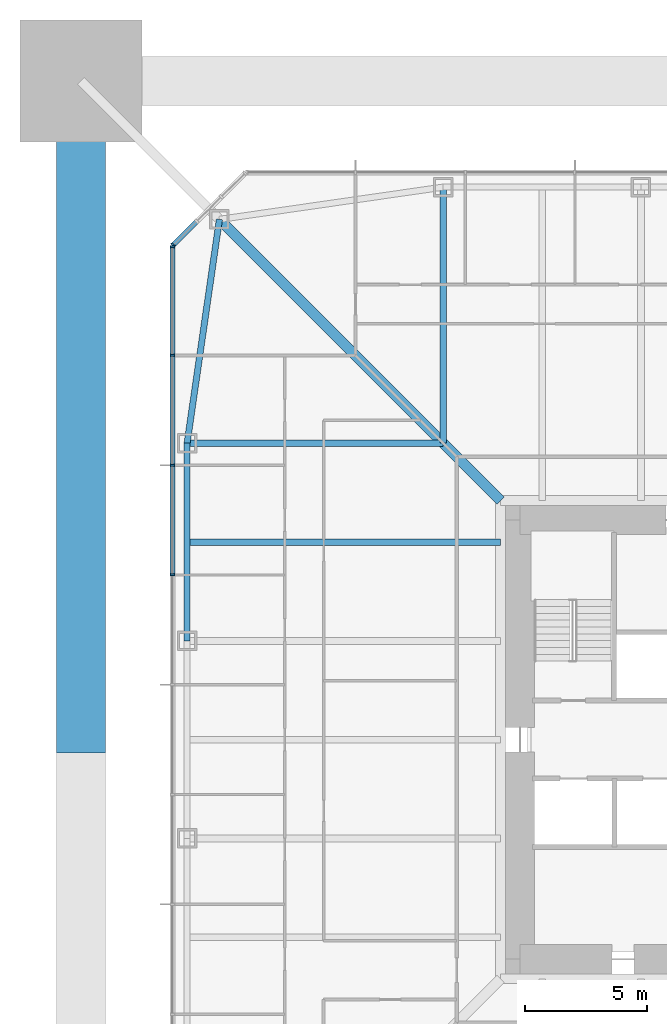
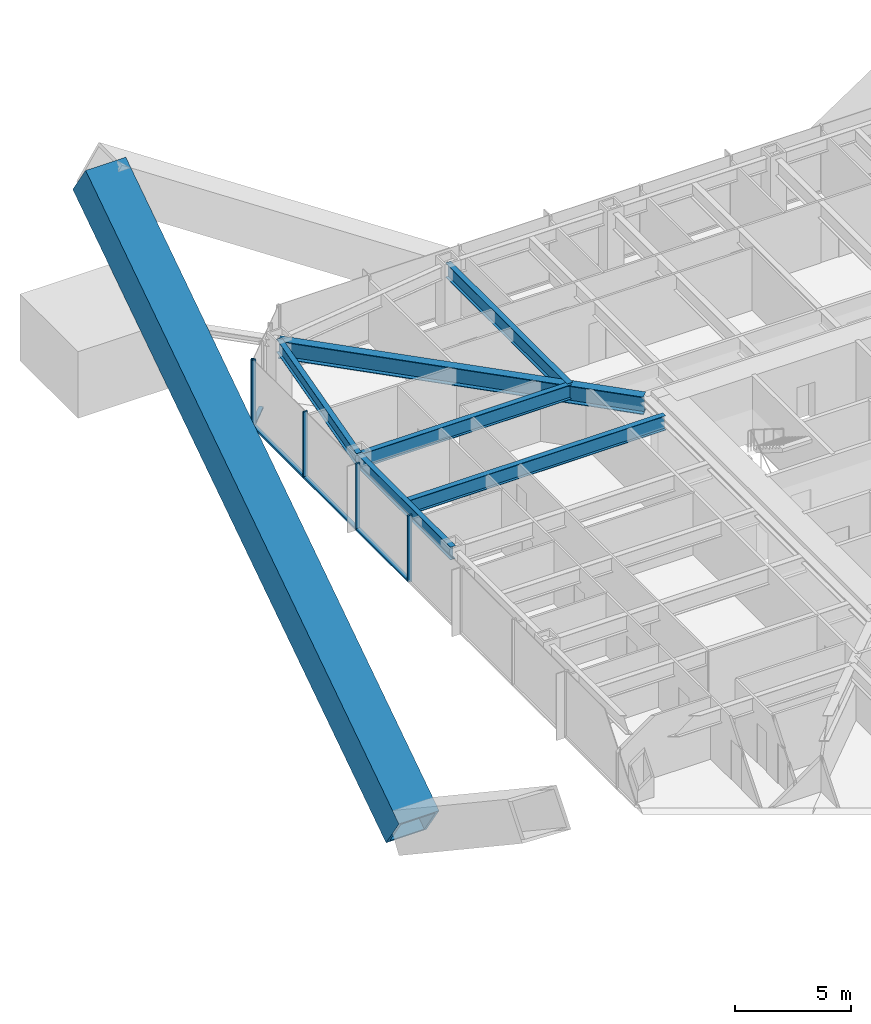
# One storey, part 6 of 27: 10 members, 6 beams, 2 elements without a shape of their own.
"""IFC4 building model written with IfcOpenShell, lengths in metres."""

from ifc_helpers import new_model, si_unit, direction, frame, origin, origin_2d, place, context, subcontext, project, spatial, rectangle, hollow_rectangle, i_section, extrude, material, material_profile, profile_set, type_object, element, aggregate, save


model = new_model("IFC4")

# Units and contexts
model_context = context("Model", 3, precision=1e-05, world=origin(), true_north=direction((0.0, 1.0)))
body_context = subcontext(model_context, "Body", "Model", "MODEL_VIEW")
ifc_project = project(units=[si_unit("LENGTHUNIT", "METRE"), si_unit("AREAUNIT", "SQUARE_METRE"), si_unit("VOLUMEUNIT", "CUBIC_METRE"), si_unit("PLANEANGLEUNIT", "RADIAN"), si_unit("MASSUNIT", "GRAM", prefix="KILO")], contexts=[model_context])

# Site, building, storey
site_placement = place(None, origin())
site = spatial("IfcSite", under=ifc_project, at=site_placement, CompositionType="ELEMENT")
building_placement = place(site_placement, origin())
building = spatial("IfcBuilding", under=site, at=building_placement, Name="Iwan Alto Co-Living Towers", CompositionType="ELEMENT")
storey_placement = place(building_placement, frame((0.0, 0.0, 25.5)))
storey = spatial("IfcBuildingStorey", under=building, at=storey_placement, Name="L06", CompositionType="ELEMENT", Elevation=25.5)

# Curtain wall, members
ifc_material_1 = material(Name="Bronze aluminium unitised frame", Category="aluminium")
curtain_wall_type_1 = type_object("IfcCurtainWallType", Name="CURTAIN WALL CW-A", PredefinedType="NOTDEFINED", material=ifc_material_1)
curtain_wall_1_placement = place(storey_placement, origin())
curtain_wall_1 = element("IfcCurtainWall", 1, at=curtain_wall_1_placement, inside=storey, type_object=curtain_wall_type_1, Name="T1 curtain wall W L06", PredefinedType="NOTDEFINED")
ifc_material_2 = material(Name="Aluminium 6063-T6 bronze anodised", Category="aluminium")
ifc_material_profile_1 = material_profile(ifc_material_2, rectangle(XDim=0.199951171875, YDim=0.080078125, at=origin_2d()), Name="AL 80X200")
ifc_profile_set_1 = profile_set([ifc_material_profile_1], Name="Aluminium 6063-T6 bronze anodised")
member_type_1 = type_object("IfcMemberType", Name="CW-A MULLION 80X200", PredefinedType="MULLION", material=ifc_profile_set_1)
member_1_placement = place(storey_placement, frame((-23.25, 20.2099609375, 0.0), z_axis=(0.0, 0.0, 1.0), x_axis=(1.0, 0.0, 0.0)))
member_1 = element("IfcMember", 2, at=member_1_placement, type_object=member_type_1, Name="CW-A mullion 1", PredefinedType="MULLION", context=body_context, shape_type="SweptSolid", body=[
    extrude(rectangle(XDim=0.199951171875, YDim=0.080078125, at=origin_2d()), origin(), (0.0, 0.0, 1.0), 3.5),
])
member_2_placement = place(storey_placement, frame((-23.25, 15.75, 0.0), z_axis=(0.0, 0.0, 1.0), x_axis=(1.0, 0.0, 0.0)))
member_2 = element("IfcMember", 3, at=member_2_placement, type_object=member_type_1, Name="CW-A mullion 2", PredefinedType="MULLION", context=body_context, shape_type="SweptSolid", body=[
    extrude(rectangle(XDim=0.199951171875, YDim=0.080078125, at=origin_2d()), origin(), (0.0, 0.0, 1.0), 3.5),
])
member_3_placement = place(storey_placement, frame((-23.25, 11.25, 0.0), z_axis=(0.0, 0.0, 1.0), x_axis=(1.0, 0.0, 0.0)))
member_3 = element("IfcMember", 4, at=member_3_placement, type_object=member_type_1, Name="CW-A mullion 3", PredefinedType="MULLION", context=body_context, shape_type="SweptSolid", body=[
    extrude(rectangle(XDim=0.199951171875, YDim=0.080078125, at=origin_2d()), origin(), (0.0, 0.0, 1.0), 3.5),
])
member_4_placement = place(storey_placement, frame((-23.25, 6.75, 0.0), z_axis=(0.0, 0.0, 1.0), x_axis=(1.0, 0.0, 0.0)))
member_4 = element("IfcMember", 5, at=member_4_placement, type_object=member_type_1, Name="CW-A mullion 4", PredefinedType="MULLION", context=body_context, shape_type="SweptSolid", body=[
    extrude(rectangle(XDim=0.199951171875, YDim=0.080078125, at=origin_2d()), origin(), (0.0, 0.0, 1.0), 3.5),
])
ifc_material_3 = material(Name="Aluminium 6063-T6 bronze anodised", Category="aluminium")
ifc_material_profile_2 = material_profile(ifc_material_3, rectangle(XDim=0.199951171875, YDim=0.10009765625, at=origin_2d()), Name="AL 200X100")
ifc_profile_set_2 = profile_set([ifc_material_profile_2], Name="Aluminium 6063-T6 bronze anodised")
member_type_2 = type_object("IfcMemberType", Name="CW-A TRANSOM 200X100", PredefinedType="USERDEFINED", material=ifc_profile_set_2)
member_5_placement = place(storey_placement, frame((-23.25, 20.169921875, 0.050048828125), z_axis=(0.0, -1.0, 0.0), x_axis=(1.0, 0.0, 0.0)))
member_5 = element("IfcMember", 6, at=member_5_placement, type_object=member_type_2, Name="CW-A transom 1.1", ObjectType="TRANSOM", PredefinedType="USERDEFINED", context=body_context, shape_type="SweptSolid", body=[
    extrude(rectangle(XDim=0.199951171875, YDim=0.10009765625, at=origin_2d()), origin(), (0.0, 0.0, 1.0), 4.3798828125),
])
member_6_placement = place(storey_placement, frame((-23.25, 15.7099609375, 0.050048828125), z_axis=(0.0, -1.0, 0.0), x_axis=(1.0, 0.0, 0.0)))
member_6 = element("IfcMember", 7, at=member_6_placement, type_object=member_type_2, Name="CW-A transom 2.1", ObjectType="TRANSOM", PredefinedType="USERDEFINED", context=body_context, shape_type="SweptSolid", body=[
    extrude(rectangle(XDim=0.199951171875, YDim=0.10009765625, at=origin_2d()), origin(), (0.0, 0.0, 1.0), 4.419921875),
])
member_7_placement = place(storey_placement, frame((-23.25, 11.2099609375, 0.050048828125), z_axis=(0.0, -1.0, 0.0), x_axis=(1.0, 0.0, 0.0)))
member_7 = element("IfcMember", 8, at=member_7_placement, type_object=member_type_2, Name="CW-A transom 3.1", ObjectType="TRANSOM", PredefinedType="USERDEFINED", context=body_context, shape_type="SweptSolid", body=[
    extrude(rectangle(XDim=0.199951171875, YDim=0.10009765625, at=origin_2d()), origin(), (0.0, 0.0, 1.0), 4.419921875),
])
aggregate(curtain_wall_1, [member_1, member_2, member_3, member_4, member_5, member_6, member_7])

ifc_material_4 = material(Name="Bronze aluminium unitised frame", Category="aluminium")
curtain_wall_type_2 = type_object("IfcCurtainWallType", Name="CURTAIN WALL CW-B", PredefinedType="NOTDEFINED", material=ifc_material_4)
curtain_wall_2_placement = place(storey_placement, origin())
curtain_wall_2 = element("IfcCurtainWall", 9, at=curtain_wall_2_placement, inside=storey, type_object=curtain_wall_type_2, Name="T1 chamfer curtain wall NW L06", PredefinedType="NOTDEFINED")
ifc_material_5 = material(Name="Aluminium 6063-T6 bronze anodised", Category="aluminium")
ifc_material_profile_3 = material_profile(ifc_material_5, rectangle(XDim=0.199951171875, YDim=0.080078125, at=origin_2d()), Name="AL 80X200")
ifc_profile_set_3 = profile_set([ifc_material_profile_3], Name="Aluminium 6063-T6 bronze anodised")
member_type_3 = type_object("IfcMemberType", Name="CW-B MULLION 80X200", PredefinedType="MULLION", material=ifc_profile_set_3)
member_8_placement = place(storey_placement, frame((-23.2216796875, 20.2783203125, 0.0), z_axis=(0.0, 0.0, 1.0), x_axis=(0.707106781187, -0.707106781187, 0.0)))
member_8 = element("IfcMember", 10, at=member_8_placement, type_object=member_type_3, Name="CW-B mullion 4", PredefinedType="MULLION", context=body_context, shape_type="SweptSolid", body=[
    extrude(rectangle(XDim=0.199951171875, YDim=0.080078125, at=origin_2d()), origin(), (0.0, 0.0, 1.0), 3.5),
])
ifc_material_6 = material(Name="Aluminium 6063-T6 bronze anodised", Category="aluminium")
ifc_material_profile_4 = material_profile(ifc_material_6, rectangle(XDim=0.199951171875, YDim=0.10009765625, at=origin_2d()), Name="AL 200X100")
ifc_profile_set_4 = profile_set([ifc_material_profile_4], Name="Aluminium 6063-T6 bronze anodised")
member_type_4 = type_object("IfcMemberType", Name="CW-B TRANSOM 200X100", PredefinedType="USERDEFINED", material=ifc_profile_set_4)
member_9_placement = place(storey_placement, frame((-22.2783203125, 21.2216796875, 0.050048828125), z_axis=(-0.707106781187, -0.707106781187, 0.0), x_axis=(0.707106781187, -0.707106781187, 0.0)))
member_9 = element("IfcMember", 11, at=member_9_placement, type_object=member_type_4, Name="CW-B transom 3.1", ObjectType="TRANSOM", PredefinedType="USERDEFINED", context=body_context, shape_type="SweptSolid", body=[
    extrude(rectangle(XDim=0.199951171875, YDim=0.10009765625, at=origin_2d()), origin(), (0.0, 0.0, 1.0), 1.2939453125),
])
aggregate(curtain_wall_2, [member_8, member_9])

# Beams
ifc_material_7 = material(Name="Steel ASTM A992 Gr 50", Category="steel")
ifc_material_profile_5 = material_profile(ifc_material_7, i_section(OverallWidth=0.419189453125, OverallDepth=0.927001953125, WebThickness=0.019287109375, FlangeThickness=0.031982421875, at=origin_2d()), Name="W36X231")
ifc_profile_set_5 = profile_set([ifc_material_profile_5], Name="Steel ASTM A992 Gr 50")
beam_type_1 = type_object("IfcBeamType", Name="T1 CORNER GIRDER W36X231", PredefinedType="BEAM", material=ifc_profile_set_5)
beam_1_placement = place(storey_placement, frame((-21.32568359375, 21.32568359375, 2.806396484375), z_axis=(0.707106781187, -0.707106781187, 0.0), x_axis=(0.707106781187, 0.707106781187, 0.0)))
element("IfcBeam", 12, at=beam_1_placement, inside=storey, type_object=beam_type_1, Name="T1 corner girder CNW L07", PredefinedType="BEAM", context=body_context, shape_type="SweptSolid", body=[
    extrude(i_section(OverallWidth=0.419189453125, OverallDepth=0.927001953125, WebThickness=0.019287109375, FlangeThickness=0.031982421875, at=origin_2d()), origin(), (0.0, 0.0, 1.0), 16.296875),
])
ifc_material_8 = material(Name="Steel ASTM A992 Gr 50", Category="steel")
ifc_material_profile_6 = material_profile(ifc_material_8, i_section(OverallWidth=0.25390625, OverallDepth=0.683349609375, WebThickness=0.012451171875, FlangeThickness=0.018798828125, at=origin_2d()), Name="W27X94")
ifc_profile_set_6 = profile_set([ifc_material_profile_6], Name="Steel ASTM A992 Gr 50")
beam_type_2 = type_object("IfcBeamType", Name="T1 EDGE BEAM W27X94", PredefinedType="BEAM", material=ifc_profile_set_6)
beam_2_placement = place(storey_placement, frame((-21.32568359375, 21.32568359375, 2.928466796875), z_axis=(-0.142836940589, -0.989746234347, 0.0), x_axis=(0.989746234347, -0.142836940589, 0.0)))
element("IfcBeam", 13, at=beam_2_placement, inside=storey, type_object=beam_type_2, Name="T1 edge beam CNW L07", PredefinedType="BEAM", context=body_context, shape_type="SweptSolid", body=[
    extrude(i_section(OverallWidth=0.25390625, OverallDepth=0.683349609375, WebThickness=0.012451171875, FlangeThickness=0.018798828125, at=origin_2d()), origin(), (0.0, 0.0, 1.0), 9.270751953125),
])
beam_3_placement = place(storey_placement, frame((-22.64990234375, 12.14990234375, 2.928466796875), z_axis=(0.0, -1.0, 0.0), x_axis=(1.0, 0.0, 0.0)))
element("IfcBeam", 14, at=beam_3_placement, inside=storey, type_object=beam_type_2, Name="T1 edge beam W1 L07", PredefinedType="BEAM", context=body_context, shape_type="SweptSolid", body=[
    extrude(i_section(OverallWidth=0.25390625, OverallDepth=0.683349609375, WebThickness=0.012451171875, FlangeThickness=0.018798828125, at=origin_2d()), origin(), (0.0, 0.0, 1.0), 8.099853515625),
])

# Member
ifc_material_9 = material(Name="Steel ASTM A572 Gr 42", Category="steel")
ifc_material_profile_7 = material_profile(ifc_material_9, hollow_rectangle(XDim=2.0, YDim=2.0, WallThickness=0.139892578125, at=origin_2d()), Name="BOX 2000X2000X140")
ifc_profile_set_7 = profile_set([ifc_material_profile_7], Name="Steel ASTM A572 Gr 42")
member_type_5 = type_object("IfcMemberType", Name="T1 MEGA BRACE BOX 2000X2000X140", PredefinedType="BRACE", material=ifc_profile_set_7)
member_10_placement = place(storey_placement, frame((-27.0, 0.0, -7.5), z_axis=(0.0, 0.832050294338, 0.554700196225), x_axis=(-1.0, 0.0, 0.0)))
element("IfcMember", 15, at=member_10_placement, inside=storey, type_object=member_type_5, Name="T1 mega brace Z1A W 2 upper", PredefinedType="BRACE", context=body_context, shape_type="SweptSolid", body=[
    extrude(hollow_rectangle(XDim=2.0, YDim=2.0, WallThickness=0.139892578125, at=origin_2d()), origin(), (0.0, 0.0, 1.0), 32.449951171875),
])

# Beams
ifc_material_10 = material(Name="Steel ASTM A992 Gr 50", Category="steel")
ifc_material_profile_8 = material_profile(ifc_material_10, i_section(OverallWidth=0.2666015625, OverallDepth=0.761962890625, WebThickness=0.014404296875, FlangeThickness=0.021484375, at=origin_2d()), Name="W30X116")
ifc_profile_set_8 = profile_set([ifc_material_profile_8], Name="Steel ASTM A992 Gr 50")
beam_type_3 = type_object("IfcBeamType", Name="T1 RADIAL BEAM W30X116", PredefinedType="BEAM", material=ifc_profile_set_8)
for number, where, z_axis, x_axis, name in (
    (16, (-12.14990234375, 22.64990234375, 2.888916015625), (0.0, -1.0, 0.0), (1.0, 0.0, 0.0), "T1 radial beam N4 L07"),
    (17, (-22.64990234375, 12.14990234375, 2.888916015625), (1.0, 0.0, 0.0), (0.0, 1.0, 0.0), "T1 radial beam W1 L07"),
):
    element("IfcBeam", number, at=place(storey_placement, frame(where, z_axis=z_axis, x_axis=x_axis)), inside=storey, type_object=beam_type_3, Name=name, PredefinedType="BEAM", context=body_context, shape_type="SweptSolid", body=[
        extrude(i_section(OverallWidth=0.2666015625, OverallDepth=0.761962890625, WebThickness=0.014404296875, FlangeThickness=0.021484375, at=origin_2d()), origin(), (0.0, 0.0, 1.0), 10.5),
    ])
ifc_material_11 = material(Name="Steel ASTM A992 Gr 50", Category="steel")
ifc_material_profile_9 = material_profile(ifc_material_11, i_section(OverallWidth=0.2666015625, OverallDepth=0.761962890625, WebThickness=0.014404296875, FlangeThickness=0.021484375, at=origin_2d()), Name="W30X116")
ifc_profile_set_9 = profile_set([ifc_material_profile_9], Name="Steel ASTM A992 Gr 50")
beam_type_4 = type_object("IfcBeamType", Name="T1 SECONDARY BEAM W30X116", PredefinedType="JOIST", material=ifc_profile_set_9)
beam_4_placement = place(storey_placement, frame((-22.64990234375, 8.10009765625, 2.888916015625), z_axis=(1.0, 0.0, 0.0), x_axis=(0.0, 1.0, 0.0)))
element("IfcBeam", 18, at=beam_4_placement, inside=storey, type_object=beam_type_4, Name="T1 secondary beam W1 L07", PredefinedType="JOIST", context=body_context, shape_type="SweptSolid", body=[
    extrude(i_section(OverallWidth=0.2666015625, OverallDepth=0.761962890625, WebThickness=0.014404296875, FlangeThickness=0.021484375, at=origin_2d()), origin(), (0.0, 0.0, 1.0), 12.847900390625),
])

save(model, "model.ifc")
